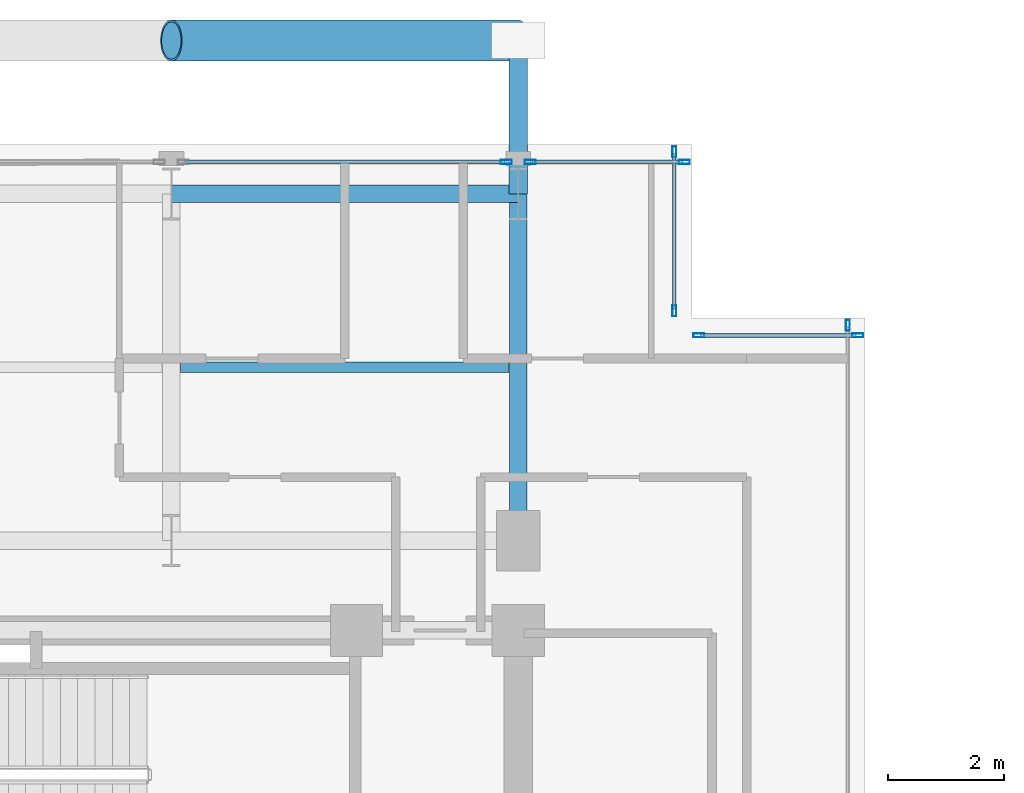
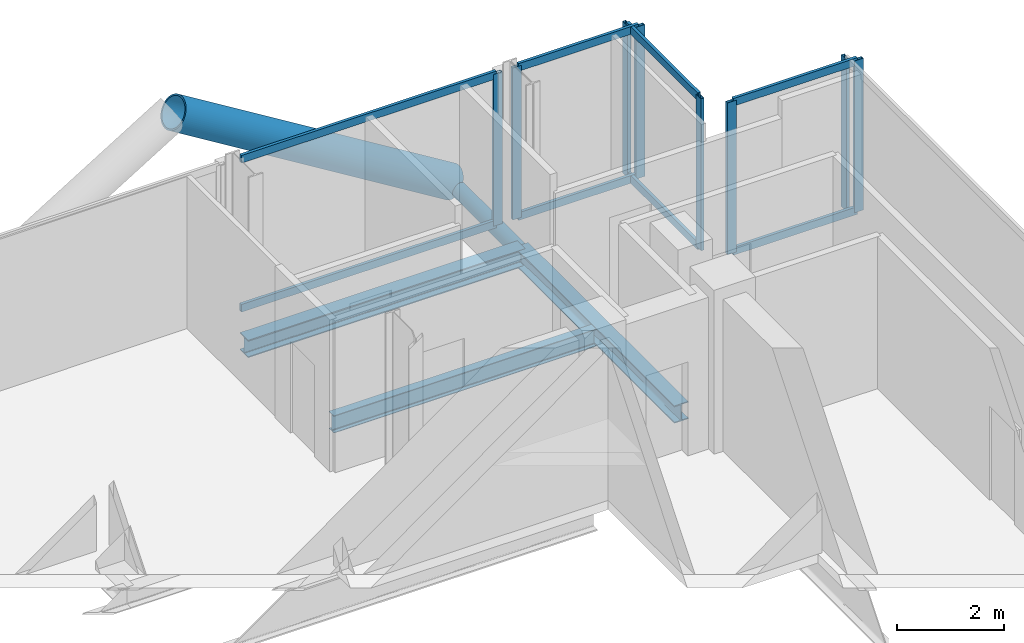
# One storey, part 15 of 26: 18 members, 3 beams, 5 elements without a shape of their own.
"""IFC4 building model written with IfcOpenShell, lengths in metres."""

from ifc_helpers import new_model, si_unit, direction, frame, origin, origin_2d, place, context, subcontext, project, spatial, hollow_rectangle, hollow_circle, i_section, extrude, material, layer, layer_set, material_profile, profile_set, type_object, element, aggregate, save


model = new_model("IFC4")

# Units and contexts
model_context = context("Model", 3, precision=1e-05, world=origin(), true_north=direction((0.0, 1.0)))
body_context = subcontext(model_context, "Body", "Model", "MODEL_VIEW")
ifc_project = project(units=[si_unit("LENGTHUNIT", "METRE"), si_unit("AREAUNIT", "SQUARE_METRE"), si_unit("VOLUMEUNIT", "CUBIC_METRE"), si_unit("PLANEANGLEUNIT", "RADIAN"), si_unit("MASSUNIT", "GRAM", prefix="KILO"), si_unit("THERMODYNAMICTEMPERATUREUNIT", "KELVIN"), si_unit("POWERUNIT", "WATT")], contexts=[model_context])

# Site, building, storey
site_placement = place(None, origin())
site = spatial("IfcSite", under=ifc_project, at=site_placement, CompositionType="ELEMENT")
building_placement = place(site_placement, origin())
building = spatial("IfcBuilding", under=site, at=building_placement, Name="Svarakhadi Broadcast Tower", CompositionType="ELEMENT")
storey_placement = place(building_placement, frame((0.0, 0.0, 195.449951171875)))
storey = spatial("IfcBuildingStorey", under=building, at=storey_placement, Name="L48", CompositionType="ELEMENT", Elevation=195.449951171875)

# Beam
ifc_material_1 = material(Name="Steel S355J2 (IS 2062 E350C)", Category="steel")
ifc_material_profile_1 = material_profile(ifc_material_1, i_section(OverallWidth=0.179931640625, OverallDepth=0.39990234375, WebThickness=0.008544921875, FlangeThickness=0.013427734375, FilletRadius=0.02099609375, at=origin_2d()), Name="NPB 400x180x66")
ifc_profile_set_1 = profile_set([ifc_material_profile_1], Name="Steel S355J2 (IS 2062 E350C)")
beam_type_1 = type_object("IfcBeamType", Name="Beam_NPB400", PredefinedType="BEAM", material=ifc_profile_set_1)
beam_placement = place(storey_placement, frame((12.159912109375, 32.14990234375, -0.409912109375), z_axis=(1.0, 0.0, 0.0), x_axis=(0.0, 1.0, 0.0)))
element("IfcBeam", 1, at=beam_placement, inside=storey, type_object=beam_type_1, Name="L48 Secondary Composite Beam SB012", PredefinedType="BEAM", context=body_context, shape_type="SweptSolid", body=[
    extrude(i_section(OverallWidth=0.179931640625, OverallDepth=0.39990234375, WebThickness=0.008544921875, FlangeThickness=0.013427734375, FilletRadius=0.02099609375, at=origin_2d()), origin(), (0.0, 0.0, 1.0), 5.68017578125),
])

# Curtain wall, member
ifc_material_2 = material(Name="Anodised Bronze Aluminium AA 6063-T6", Category="aluminium")
ifc_layer = layer(ifc_material_2, 0.18994140625)
ifc_layer_set = layer_set([ifc_layer], Name="Anodised Bronze Aluminium AA 6063-T6")
curtain_wall_type = type_object("IfcCurtainWallType", Name="CW_Sys_04", PredefinedType="NOTDEFINED", material=ifc_layer_set)
curtain_wall_1_placement = place(storey_placement, origin())
curtain_wall_1 = element("IfcCurtainWall", 2, at=curtain_wall_1_placement, inside=storey, type_object=curtain_wall_type, Name="L48 Unitised Facade Curtain Wall 06 Bay 2", PredefinedType="NOTDEFINED")
ifc_material_profile_2 = material_profile(ifc_material_2, hollow_rectangle(XDim=0.070068359375, YDim=0.18994140625, WallThickness=0.005615234375, at=origin_2d()), Name="ALU MULLION 190x70x6")
ifc_profile_set_2 = profile_set([ifc_material_profile_2], Name="Anodised Bronze Aluminium AA 6063-T6")
member_type_1 = type_object("IfcMemberType", Name="CW_Sys_04_Mul", PredefinedType="MULLION", material=ifc_profile_set_2)
member_1_placement = place(storey_placement, frame((17.794921875, 35.699951171875, 0.0), z_axis=(0.0, 0.0, 1.0), x_axis=(0.0, 1.0, 0.0)))
member_1 = element("IfcMember", 3, at=member_1_placement, type_object=member_type_1, Name="CW-04 mullion 2", PredefinedType="MULLION", context=body_context, shape_type="SweptSolid", body=[
    extrude(hollow_rectangle(XDim=0.070068359375, YDim=0.18994140625, WallThickness=0.005615234375, at=origin_2d()), origin(), (0.0, 0.0, 1.0), 3.47509765625),
])

# Curtain wall, members
curtain_wall_2_placement = place(storey_placement, origin())
curtain_wall_2 = element("IfcCurtainWall", 4, at=curtain_wall_2_placement, inside=storey, type_object=curtain_wall_type, Name="L48 Unitised Facade Curtain Wall 06 Bay 3", PredefinedType="NOTDEFINED")
member_2_placement = place(storey_placement, frame((18.205078125, 35.699951171875, 0.0), z_axis=(0.0, 0.0, 1.0), x_axis=(0.0, 1.0, 0.0)))
member_2 = element("IfcMember", 5, at=member_2_placement, type_object=member_type_1, Name="CW-04 mullion 1", PredefinedType="MULLION", context=body_context, shape_type="SweptSolid", body=[
    extrude(hollow_rectangle(XDim=0.070068359375, YDim=0.18994140625, WallThickness=0.005615234375, at=origin_2d()), origin(), (0.0, 0.0, 1.0), 3.47509765625),
])
member_3_placement = place(storey_placement, frame((20.875, 35.699951171875, 0.0), z_axis=(0.0, 0.0, 1.0), x_axis=(0.0, 1.0, 0.0)))
member_3 = element("IfcMember", 6, at=member_3_placement, type_object=member_type_1, Name="CW-04 mullion 2", PredefinedType="MULLION", context=body_context, shape_type="SweptSolid", body=[
    extrude(hollow_rectangle(XDim=0.070068359375, YDim=0.18994140625, WallThickness=0.005615234375, at=origin_2d()), origin(), (0.0, 0.0, 1.0), 3.47509765625),
])

curtain_wall_3_placement = place(storey_placement, origin())
curtain_wall_3 = element("IfcCurtainWall", 7, at=curtain_wall_3_placement, inside=storey, type_object=curtain_wall_type, Name="L48 Unitised Facade Curtain Wall 07", PredefinedType="NOTDEFINED")
member_4_placement = place(storey_placement, frame((20.699951171875, 35.875, 0.0), z_axis=(0.0, 0.0, 1.0), x_axis=(1.0, 0.0, 0.0)))
member_4 = element("IfcMember", 8, at=member_4_placement, type_object=member_type_1, Name="CW-04 mullion 1", PredefinedType="MULLION", context=body_context, shape_type="SweptSolid", body=[
    extrude(hollow_rectangle(XDim=0.070068359375, YDim=0.18994140625, WallThickness=0.005615234375, at=origin_2d()), origin(), (0.0, 0.0, 1.0), 3.47509765625),
])
member_5_placement = place(storey_placement, frame((20.699951171875, 33.125, 0.0), z_axis=(0.0, 0.0, 1.0), x_axis=(1.0, 0.0, 0.0)))
member_5 = element("IfcMember", 9, at=member_5_placement, type_object=member_type_1, Name="CW-04 mullion 2", PredefinedType="MULLION", context=body_context, shape_type="SweptSolid", body=[
    extrude(hollow_rectangle(XDim=0.070068359375, YDim=0.18994140625, WallThickness=0.005615234375, at=origin_2d()), origin(), (0.0, 0.0, 1.0), 3.47509765625),
])

curtain_wall_4_placement = place(storey_placement, origin())
curtain_wall_4 = element("IfcCurtainWall", 10, at=curtain_wall_4_placement, inside=storey, type_object=curtain_wall_type, Name="L48 Unitised Facade Curtain Wall 08", PredefinedType="NOTDEFINED")
member_6_placement = place(storey_placement, frame((21.125, 32.699951171875, 0.0), z_axis=(0.0, 0.0, 1.0), x_axis=(0.0, 1.0, 0.0)))
member_6 = element("IfcMember", 11, at=member_6_placement, type_object=member_type_1, Name="CW-04 mullion 1", PredefinedType="MULLION", context=body_context, shape_type="SweptSolid", body=[
    extrude(hollow_rectangle(XDim=0.070068359375, YDim=0.18994140625, WallThickness=0.005615234375, at=origin_2d()), origin(), (0.0, 0.0, 1.0), 3.47509765625),
])
member_7_placement = place(storey_placement, frame((23.875, 32.699951171875, 0.0), z_axis=(0.0, 0.0, 1.0), x_axis=(0.0, 1.0, 0.0)))
member_7 = element("IfcMember", 12, at=member_7_placement, type_object=member_type_1, Name="CW-04 mullion 2", PredefinedType="MULLION", context=body_context, shape_type="SweptSolid", body=[
    extrude(hollow_rectangle(XDim=0.070068359375, YDim=0.18994140625, WallThickness=0.005615234375, at=origin_2d()), origin(), (0.0, 0.0, 1.0), 3.47509765625),
])

# Curtain wall, member
curtain_wall_5_placement = place(storey_placement, origin())
curtain_wall_5 = element("IfcCurtainWall", 13, at=curtain_wall_5_placement, inside=storey, type_object=curtain_wall_type, Name="L48 Unitised Facade Curtain Wall 09", PredefinedType="NOTDEFINED")
member_8_placement = place(storey_placement, frame((23.699951171875, 32.875, 0.0), z_axis=(0.0, 0.0, 1.0), x_axis=(1.0, 0.0, 0.0)))
member_8 = element("IfcMember", 14, at=member_8_placement, type_object=member_type_1, Name="CW-04 mullion 1", PredefinedType="MULLION", context=body_context, shape_type="SweptSolid", body=[
    extrude(hollow_rectangle(XDim=0.070068359375, YDim=0.18994140625, WallThickness=0.005615234375, at=origin_2d()), origin(), (0.0, 0.0, 1.0), 3.47509765625),
])
aggregate(curtain_wall_5, [member_8])

# Member
ifc_material_profile_3 = material_profile(ifc_material_2, hollow_rectangle(XDim=0.06494140625, YDim=0.175048828125, WallThickness=0.0048828125, at=origin_2d()), Name="ALU TRANSOM 175x65x5")
ifc_profile_set_3 = profile_set([ifc_material_profile_3], Name="Anodised Bronze Aluminium AA 6063-T6")
member_type_2 = type_object("IfcMemberType", Name="CW_Sys_04_Trn", PredefinedType="USERDEFINED", material=ifc_profile_set_3)
member_9_placement = place(storey_placement, frame((12.239990234375, 35.699951171875, 0.032470703125), z_axis=(1.0, 0.0, 0.0), x_axis=(0.0, 1.0, 0.0)))
member_9 = element("IfcMember", 15, at=member_9_placement, type_object=member_type_2, Name="CW-04 transom 1.1", ObjectType="TRANSOM", PredefinedType="USERDEFINED", context=body_context, shape_type="SweptSolid", body=[
    extrude(hollow_rectangle(XDim=0.06494140625, YDim=0.175048828125, WallThickness=0.0048828125, at=origin_2d()), origin(), (0.0, 0.0, 1.0), 5.52001953125),
])

member_10_placement = place(storey_placement, frame((12.239990234375, 35.699951171875, 3.442626953125), z_axis=(1.0, 0.0, 0.0), x_axis=(0.0, 1.0, 0.0)))
member_10 = element("IfcMember", 16, at=member_10_placement, type_object=member_type_2, Name="CW-04 transom 1.2", ObjectType="TRANSOM", PredefinedType="USERDEFINED", context=body_context, shape_type="SweptSolid", body=[
    extrude(hollow_rectangle(XDim=0.06494140625, YDim=0.175048828125, WallThickness=0.0048828125, at=origin_2d()), origin(), (0.0, 0.0, 1.0), 5.52001953125),
])

aggregate(curtain_wall_1, [member_1, member_9, member_10])

member_11_placement = place(storey_placement, frame((18.239990234375, 35.699951171875, 0.032470703125), z_axis=(1.0, 0.0, 0.0), x_axis=(0.0, 1.0, 0.0)))
member_11 = element("IfcMember", 17, at=member_11_placement, type_object=member_type_2, Name="CW-04 transom 1.1", ObjectType="TRANSOM", PredefinedType="USERDEFINED", context=body_context, shape_type="SweptSolid", body=[
    extrude(hollow_rectangle(XDim=0.06494140625, YDim=0.175048828125, WallThickness=0.0048828125, at=origin_2d()), origin(), (0.0, 0.0, 1.0), 2.60009765625),
])

member_12_placement = place(storey_placement, frame((18.239990234375, 35.699951171875, 3.442626953125), z_axis=(1.0, 0.0, 0.0), x_axis=(0.0, 1.0, 0.0)))
member_12 = element("IfcMember", 18, at=member_12_placement, type_object=member_type_2, Name="CW-04 transom 1.2", ObjectType="TRANSOM", PredefinedType="USERDEFINED", context=body_context, shape_type="SweptSolid", body=[
    extrude(hollow_rectangle(XDim=0.06494140625, YDim=0.175048828125, WallThickness=0.0048828125, at=origin_2d()), origin(), (0.0, 0.0, 1.0), 2.60009765625),
])

aggregate(curtain_wall_2, [member_2, member_3, member_11, member_12])

member_13_placement = place(storey_placement, frame((20.699951171875, 35.840087890625, 0.032470703125), z_axis=(0.0, -1.0, 0.0), x_axis=(1.0, 0.0, 0.0)))
member_13 = element("IfcMember", 19, at=member_13_placement, type_object=member_type_2, Name="CW-04 transom 1.1", ObjectType="TRANSOM", PredefinedType="USERDEFINED", context=body_context, shape_type="SweptSolid", body=[
    extrude(hollow_rectangle(XDim=0.06494140625, YDim=0.175048828125, WallThickness=0.0048828125, at=origin_2d()), origin(), (0.0, 0.0, 1.0), 2.68017578125),
])

member_14_placement = place(storey_placement, frame((20.699951171875, 35.840087890625, 3.442626953125), z_axis=(0.0, -1.0, 0.0), x_axis=(1.0, 0.0, 0.0)))
member_14 = element("IfcMember", 20, at=member_14_placement, type_object=member_type_2, Name="CW-04 transom 1.2", ObjectType="TRANSOM", PredefinedType="USERDEFINED", context=body_context, shape_type="SweptSolid", body=[
    extrude(hollow_rectangle(XDim=0.06494140625, YDim=0.175048828125, WallThickness=0.0048828125, at=origin_2d()), origin(), (0.0, 0.0, 1.0), 2.68017578125),
])

aggregate(curtain_wall_3, [member_4, member_5, member_13, member_14])

member_15_placement = place(storey_placement, frame((21.159912109375, 32.699951171875, 0.032470703125), z_axis=(1.0, 0.0, 0.0), x_axis=(0.0, 1.0, 0.0)))
member_15 = element("IfcMember", 21, at=member_15_placement, type_object=member_type_2, Name="CW-04 transom 1.1", ObjectType="TRANSOM", PredefinedType="USERDEFINED", context=body_context, shape_type="SweptSolid", body=[
    extrude(hollow_rectangle(XDim=0.06494140625, YDim=0.175048828125, WallThickness=0.0048828125, at=origin_2d()), origin(), (0.0, 0.0, 1.0), 2.68017578125),
])

member_16_placement = place(storey_placement, frame((21.159912109375, 32.699951171875, 3.442626953125), z_axis=(1.0, 0.0, 0.0), x_axis=(0.0, 1.0, 0.0)))
member_16 = element("IfcMember", 22, at=member_16_placement, type_object=member_type_2, Name="CW-04 transom 1.2", ObjectType="TRANSOM", PredefinedType="USERDEFINED", context=body_context, shape_type="SweptSolid", body=[
    extrude(hollow_rectangle(XDim=0.06494140625, YDim=0.175048828125, WallThickness=0.0048828125, at=origin_2d()), origin(), (0.0, 0.0, 1.0), 2.68017578125),
])

aggregate(curtain_wall_4, [member_6, member_7, member_15, member_16])

# Members
ifc_material_3 = material(Name="Steel S460ML (IS 2062 E450BR)", Category="steel")
ifc_material_profile_4 = material_profile(ifc_material_3, hollow_circle(Radius=0.35546875, WallThickness=0.034912109375, at=origin_2d()), Name="CHS 711x35")
ifc_profile_set_4 = profile_set([ifc_material_profile_4], Name="Steel S460ML (IS 2062 E450BR)")
member_type_3 = type_object("IfcMemberType", Name="Exo_Brace_CHS711", PredefinedType="BRACE", material=ifc_profile_set_4)
member_17_placement = place(storey_placement, frame((18.0, 37.800048828125, -0.371826171875), z_axis=(-0.852132977326, 0.0, 0.523325318472), x_axis=(0.0, -1.0, 0.0)))
element("IfcMember", 23, at=member_17_placement, inside=storey, type_object=member_type_3, Name="L48 Exposed Bronze Exoskeleton Diagonal N09", PredefinedType="BRACE", context=body_context, shape_type="SweptSolid", body=[
    extrude(hollow_circle(Radius=0.35546875, WallThickness=0.034912109375, at=origin_2d()), origin(), (0.0, 0.0, 1.0), 7.041259765625),
])
ifc_material_profile_5 = material_profile(ifc_material_3, hollow_circle(Radius=0.161865234375, WallThickness=0.01611328125, at=origin_2d()), Name="CHS 323.9x16")
ifc_profile_set_5 = profile_set([ifc_material_profile_5], Name="Steel S460ML (IS 2062 E450BR)")
member_type_4 = type_object("IfcMemberType", Name="Exo_Radial_Strut_Z2", PredefinedType="STRUT", material=ifc_profile_set_5)
member_18_placement = place(storey_placement, frame((18.0, 37.800048828125, -0.371826171875), z_axis=(0.0, -1.0, 0.0), x_axis=(1.0, 0.0, 0.0)))
element("IfcMember", 24, at=member_18_placement, inside=storey, type_object=member_type_4, Name="L48 Exoskeleton Radial Tie Strut N10", PredefinedType="STRUT", context=body_context, shape_type="SweptSolid", body=[
    extrude(hollow_circle(Radius=0.161865234375, WallThickness=0.01611328125, at=origin_2d()), origin(), (0.0, 0.0, 1.0), 2.650146484375),
])

# Beams
ifc_material_profile_6 = material_profile(ifc_material_1, i_section(OverallWidth=0.300048828125, OverallDepth=0.39990234375, WebThickness=0.013427734375, FlangeThickness=0.02392578125, FilletRadius=0.027099609375, at=origin_2d()), Name="WPB 400x300x155")
ifc_profile_set_6 = profile_set([ifc_material_profile_6], Name="Steel S355J2 (IS 2062 E350C)")
beam_type_2 = type_object("IfcBeamType", Name="Girder_WPB400", PredefinedType="USERDEFINED", material=ifc_profile_set_6)
for number, where, z_axis, x_axis, name in (
    (25, (12.0, 35.14990234375, -0.409912109375), (1.0, 0.0, 0.0), (0.0, 1.0, 0.0), "L48 Primary E-W Girder G032"),
    (26, (18.0, 29.14990234375, -0.409912109375), (0.0, 1.0, 0.0), (-1.0, 0.0, 0.0), "L48 Primary N-S Girder G050"),
):
    element("IfcBeam", number, at=place(storey_placement, frame(where, z_axis=z_axis, x_axis=x_axis)), inside=storey, type_object=beam_type_2, Name=name, ObjectType="GIRDER", PredefinedType="USERDEFINED", context=body_context, shape_type="SweptSolid", body=[
        extrude(i_section(OverallWidth=0.300048828125, OverallDepth=0.39990234375, WebThickness=0.013427734375, FlangeThickness=0.02392578125, FilletRadius=0.027099609375, at=origin_2d()), origin(), (0.0, 0.0, 1.0), 6.0),
    ])

save(model, "model.ifc")
